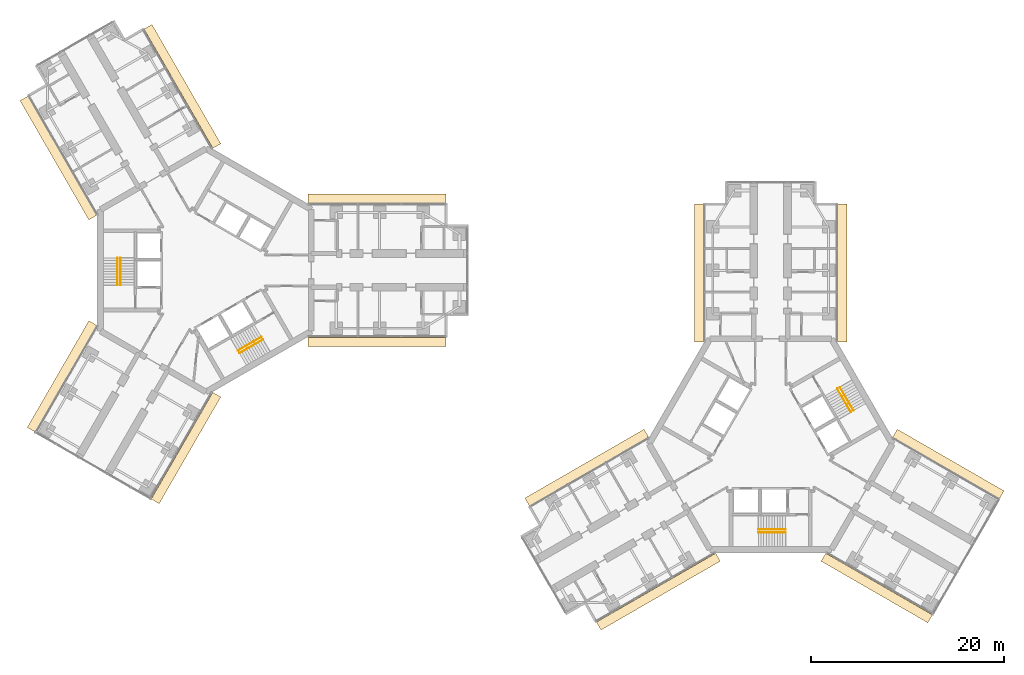
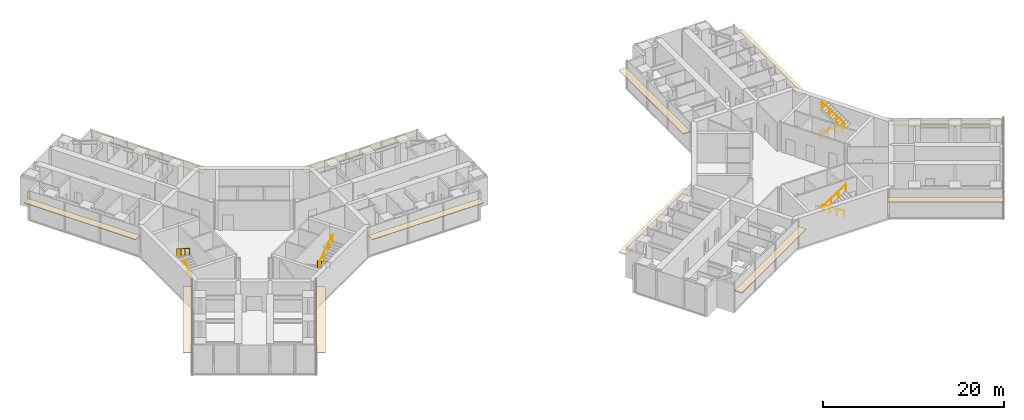
# One storey, part 22 of 22: 12 coverings, 8 railings.
"""IFC4 building model written with IfcOpenShell, lengths in metres."""

import ifcopenshell
import ifcopenshell.guid

model = None  # the IFC model being written
_history = None  # IfcOwnerHistory: only IFC2X3 demands one
_inside = {}  # id of a spatial element -> (the spatial element, [elements in it])
_under = {}  # id of a project, library or spatial element -> (it, [spatial elements below it])
_declared = {}  # id of a project -> (the project, [libraries it declares])
_typed = {}  # id of a type object -> (the type object, [elements of that type])
_made_of = {}  # id of a material, layer set ... -> (it, [elements and type objects made of it])


def new_model(schema):
    """Start an empty IFC model of exactly this schema.

    Asked for "IFC4X3", IfcOpenShell would pick the latest addendum, in which some entities
    have other attributes; the version numbers below select the first issue.
    IFC2X3 requires an IfcOwnerHistory on every rooted entity: one is made here for all.
    """
    global model, _history
    if schema == "IFC4X3":
        model = ifcopenshell.file(schema_version=(4, 3, 0, 0))
    else:
        model = ifcopenshell.file(schema=schema)
    _inside.clear()
    _under.clear()
    _declared.clear()
    _typed.clear()
    _made_of.clear()
    _history = None
    if model.schema == "IFC2X3":
        org = make("IfcOrganization", Name="unknown")
        user = make(
            "IfcPersonAndOrganization",
            ThePerson=make("IfcPerson", FamilyName="unknown"),
            TheOrganization=org,
        )
        app = make(
            "IfcApplication",
            ApplicationDeveloper=org,
            Version="unknown",
            ApplicationFullName="unknown",
            ApplicationIdentifier="unknown",
        )
        _history = make(
            "IfcOwnerHistory",
            OwningUser=user,
            OwningApplication=app,
            ChangeAction="ADDED",
            CreationDate=0,
        )
    return model


def make(cls, **values):
    """One entity of the class cls with the attributes given. An attribute that is None is left unset."""
    return model.create_entity(
        cls, **{name: value for name, value in values.items() if value is not None}
    )


def rooted(cls, **values):
    """An entity with a GlobalId (a new one), such as an element, a storey or a relation."""
    return make(cls, GlobalId=ifcopenshell.guid.new(), OwnerHistory=_history, **values)


def si_unit(unit_type, name, prefix=None):
    """IfcSIUnit, for example si_unit("LENGTHUNIT", "METRE", prefix="MILLI")."""
    return make("IfcSIUnit", UnitType=unit_type, Prefix=prefix, Name=name)


def assignment(units):
    """IfcUnitAssignment: the units of a project."""
    return None if units is None else make("IfcUnitAssignment", Units=units)


def point(xyz):
    """IfcCartesianPoint."""
    return None if xyz is None else make("IfcCartesianPoint", Coordinates=xyz)


def direction(xyz):
    """IfcDirection."""
    return None if xyz is None else make("IfcDirection", DirectionRatios=xyz)


def frame(location, z_axis=None, x_axis=None):
    """IfcAxis2Placement3D, a coordinate frame: its origin and axes. An axis left out is left unset."""
    return make(
        "IfcAxis2Placement3D",
        Location=point(location),
        Axis=direction(z_axis),
        RefDirection=direction(x_axis),
    )


def frame_2d(location, x_axis=None):
    """IfcAxis2Placement2D, a coordinate frame in the plane: its origin and x axis."""
    return make(
        "IfcAxis2Placement2D", Location=point(location), RefDirection=direction(x_axis)
    )


def origin():
    """The frame at (0, 0, 0) with its axes left unset."""
    return frame((0.0, 0.0, 0.0))


def origin_2d():
    """The frame at (0, 0) in the plane with its x axis left unset."""
    return frame_2d((0.0, 0.0))


def place(relative_to, where):
    """IfcLocalPlacement: puts the frame where relative to a parent placement (None: the world)."""
    return make(
        "IfcLocalPlacement", PlacementRelTo=relative_to, RelativePlacement=where
    )


def context(
    kind, dimensions, precision=None, world=None, true_north=None, identifier=None
):
    """IfcGeometricRepresentationContext, for example the 3D "Model" context."""
    return make(
        "IfcGeometricRepresentationContext",
        ContextIdentifier=identifier,
        ContextType=kind,
        CoordinateSpaceDimension=dimensions,
        Precision=precision,
        WorldCoordinateSystem=world,
        TrueNorth=true_north,
    )


def subcontext(parent, identifier, kind, view, scale=None):
    """IfcGeometricRepresentationSubContext, for example "Body" below "Model"."""
    return make(
        "IfcGeometricRepresentationSubContext",
        ContextIdentifier=identifier,
        ContextType=kind,
        ParentContext=parent,
        TargetScale=scale,
        TargetView=view,
    )


def project(units=None, contexts=None):
    """IfcProject with its units and contexts."""
    return rooted(
        "IfcProject",
        Name="project",
        RepresentationContexts=contexts,
        UnitsInContext=assignment(units),
    )


def spatial(cls, under=None, at=None, **own):
    """A site, building, storey or space (cls), placed at a placement, below another one or the project."""
    s = rooted(cls, ObjectPlacement=at, **own)
    if under is not None:
        _under.setdefault(under.id(), (under, []))[1].append(s)
    return s


def profile(cls, at=None, kind="AREA", **sizes):
    """A parametric profile (cls). Its sizes go by their IFC names, for example OverallWidth=200.0."""
    return make(cls, ProfileType=kind, Position=at, **sizes)


def rectangle(**sizes):
    """IfcRectangleProfileDef."""
    return profile("IfcRectangleProfileDef", **sizes)


def circle(**sizes):
    """IfcCircleProfileDef."""
    return profile("IfcCircleProfileDef", **sizes)


def extrude(swept, where, along, depth):
    """IfcExtrudedAreaSolid: the profile swept, set in the frame where, extruded along a direction by depth."""
    return make(
        "IfcExtrudedAreaSolid",
        SweptArea=swept,
        Position=where,
        ExtrudedDirection=direction(along),
        Depth=depth,
    )


def shape(context_of_items, identifier, shape_type, items):
    """IfcShapeRepresentation: the items that make up one representation, for example the "Body"."""
    return make(
        "IfcShapeRepresentation",
        ContextOfItems=context_of_items,
        RepresentationIdentifier=identifier,
        RepresentationType=shape_type,
        Items=items,
    )


def material(Name=None, Category=None):
    """IfcMaterial."""
    return make("IfcMaterial", Name=Name, Category=Category)


def layer(
    of_material, thickness, ventilated=None, Name=None, Category=None, Priority=None
):
    """IfcMaterialLayer: one layer of a wall or slab, of a material (None: an air gap)."""
    return make(
        "IfcMaterialLayer",
        Material=of_material,
        LayerThickness=thickness,
        IsVentilated=ventilated,
        Name=Name,
        Category=Category,
        Priority=Priority,
    )


def layer_set(layers, Name=None):
    """IfcMaterialLayerSet."""
    return make("IfcMaterialLayerSet", MaterialLayers=layers, LayerSetName=Name)


def made_of(thing, what):
    """Note that an element or type object is made of a material, layer set ...; save() writes the relation."""
    if what is not None:
        _made_of.setdefault(what.id(), (what, []))[1].append(thing)
    return thing


def type_object(cls, material=None, **own):
    """A type object (cls), such as IfcWallType, which elements share."""
    return made_of(rooted(cls, **own), material)


def element(
    cls,
    number,
    at=None,
    inside=None,
    cuts=None,
    type_object=None,
    material=None,
    context=None,
    identifier="Body",
    shape_type=None,
    held_by="IfcProductDefinitionShape",
    body=None,
    shapes=None,
    **own,
):
    """One element of the class cls, such as IfcWall. Its Tag is "e" and its number.

    at: its placement. inside: the storey or other place that contains it. cuts: it is an
    opening in that element (IfcRelVoidsElement). A single representation is given by context,
    identifier, shape_type and body (its items); several are given by shapes. held_by: the class
    of the entity that holds the representations. save() writes the other relations.
    """
    e = rooted(cls, Tag="e%d" % number, ObjectPlacement=at, **own)
    if body is not None:
        shapes = [shape(context, identifier, shape_type, body)]
    if shapes is not None:
        e.Representation = make(held_by, Representations=shapes)
    if inside is not None:
        _inside.setdefault(inside.id(), (inside, []))[1].append(e)
    if cuts is not None:
        rooted(
            "IfcRelVoidsElement", RelatingBuildingElement=cuts, RelatedOpeningElement=e
        )
    if type_object is not None:
        _typed.setdefault(type_object.id(), (type_object, []))[1].append(e)
    return made_of(e, material)


def aggregate(whole, parts):
    """IfcRelAggregates: a whole, such as a stair, and the parts it consists of."""
    return rooted("IfcRelAggregates", RelatingObject=whole, RelatedObjects=parts)


def save(model, path):
    """Write the relations noted so far, then the file.

    IfcRelAggregates (storeys below a building ...), IfcRelContainedInSpatialStructure (elements
    in a storey), IfcRelDefinesByType, IfcRelAssociatesMaterial and IfcRelDeclares: one each for
    every whole, place, type object, material and project.
    """
    for whole, parts in _under.values():
        aggregate(whole, parts)
    for where, things in _inside.values():
        rooted(
            "IfcRelContainedInSpatialStructure",
            RelatedElements=things,
            RelatingStructure=where,
        )
    for kind, things in _typed.values():
        rooted("IfcRelDefinesByType", RelatedObjects=things, RelatingType=kind)
    for what, things in _made_of.values():
        rooted("IfcRelAssociatesMaterial", RelatedObjects=things, RelatingMaterial=what)
    for by, libraries in _declared.values():
        rooted("IfcRelDeclares", RelatingContext=by, RelatedDefinitions=libraries)
    model.write(path)


model = new_model("IFC4")

# Units and contexts
model_context = context("Model", 3, precision=1e-05, world=origin(), true_north=direction((0.0, 1.0)))
body_context = subcontext(model_context, "Body", "Model", "MODEL_VIEW")
ifc_project = project(units=[si_unit("LENGTHUNIT", "METRE"), si_unit("AREAUNIT", "SQUARE_METRE"), si_unit("VOLUMEUNIT", "CUBIC_METRE"), si_unit("PLANEANGLEUNIT", "RADIAN"), si_unit("MASSUNIT", "GRAM", prefix="KILO")], contexts=[model_context])

# Site, building, storey
site_placement = place(None, origin())
site = spatial("IfcSite", under=ifc_project, at=site_placement, CompositionType="ELEMENT")
building_placement = place(site_placement, origin())
building = spatial("IfcBuilding", under=site, at=building_placement, Name="Upepo Twin Towers", CompositionType="ELEMENT")
storey_placement = place(building_placement, frame((0.0, 0.0, 121.5)))
storey = spatial("IfcBuildingStorey", under=building, at=storey_placement, Name="L29", CompositionType="ELEMENT", Elevation=121.5)

# Coverings
ifc_material_1 = material(Name="Anodised aluminium, pale silver", Category="aluminium")
ifc_layer = layer(ifc_material_1, 0.080078125)
ifc_layer_set = layer_set([ifc_layer], Name="Brise-soleil blade 950 pale aluminium")
covering_type = type_object("IfcCoveringType", Name="Brise-soleil blade 950 pale aluminium", PredefinedType="USERDEFINED", material=ifc_layer_set)
for number, where, z_axis, x_axis, name in (
    (1, (17.718505859375, 7.4150390625, 2.909912109375), (0.0, 0.0, 1.0), (1.0, 0.0, 0.0), "T1 L29 wing A brise-soleil L"),
    (2, (17.718505859375, -7.4150390625, 2.909912109375), (0.0, 0.0, 1.0), (1.0, 0.0, 0.0), "T1 L29 wing A brise-soleil R"),
    (3, (-15.28076171875, 11.63720703125, 2.909912109375), (0.0, 0.0, 1.0), (-0.499999954655, 0.866025429964, 0.0), "T1 L29 wing B brise-soleil L"),
    (4, (-2.437744140625, 19.05224609375, 2.909912109375), (0.0, 0.0, 1.0), (-0.500000015115, 0.866025395058, 0.0), "T1 L29 wing B brise-soleil R"),
):
    element("IfcCovering", number, at=place(storey_placement, frame(where, z_axis=z_axis, x_axis=x_axis)), inside=storey, type_object=covering_type, Name=name, ObjectType="SUNSHADE", PredefinedType="USERDEFINED", context=body_context, shape_type="SweptSolid", body=[
        extrude(rectangle(XDim=14.262939453125, YDim=0.949951171875, at=origin_2d()), origin(), (0.0, 0.0, 1.0), 0.080078125),
    ])
for number, where, z_axis, x_axis, name in (
    (5, (-2.062744140625, -18.402587890625, 2.909912109375), (0.0, 0.0, 1.0), (-0.500000015115, -0.866025395058, 0.0), "T1 L29 wing C brise-soleil L"),
    (6, (-14.90576171875, -10.98779296875, 2.909912109375), (0.0, 0.0, 1.0), (-0.499999954655, -0.866025429964, 0.0), "T1 L29 wing C brise-soleil R"),
):
    element("IfcCovering", number, at=place(storey_placement, frame(where, z_axis=z_axis, x_axis=x_axis)), inside=storey, type_object=covering_type, Name=name, ObjectType="SUNSHADE", PredefinedType="USERDEFINED", context=body_context, shape_type="SweptSolid", body=[
        extrude(rectangle(XDim=12.762939453125, YDim=0.949951171875, at=origin_2d()), origin(), (0.0, 0.0, 1.0), 0.080078125),
    ])
for number, where, z_axis, x_axis, name in (
    (7, (51.0849609375, -0.281494140625, 2.909912109375), (0.0, 0.0, 1.0), (0.0, 1.0, 0.0), "T2 L29 wing A brise-soleil L"),
    (8, (65.9150390625, -0.281494140625, 2.909912109375), (0.0, 0.0, 1.0), (0.0, 1.0, 0.0), "T2 L29 wing A brise-soleil R"),
    (9, (46.86279296875, -33.28076171875, 2.909912109375), (0.0, 0.0, 1.0), (-0.866025429964, -0.499999954655, 0.0), "T2 L29 wing B brise-soleil L"),
    (10, (39.44775390625, -20.437744140625, 2.909912109375), (0.0, 0.0, 1.0), (-0.866025395058, -0.500000015115, 0.0), "T2 L29 wing B brise-soleil R"),
):
    element("IfcCovering", number, at=place(storey_placement, frame(where, z_axis=z_axis, x_axis=x_axis)), inside=storey, type_object=covering_type, Name=name, ObjectType="SUNSHADE", PredefinedType="USERDEFINED", context=body_context, shape_type="SweptSolid", body=[
        extrude(rectangle(XDim=14.262939453125, YDim=0.949951171875, at=origin_2d()), origin(), (0.0, 0.0, 1.0), 0.080078125),
    ])
for number, where, z_axis, x_axis, name in (
    (11, (76.902587890625, -20.062744140625, 2.909912109375), (0.0, 0.0, 1.0), (0.866025395058, -0.500000015115, 0.0), "T2 L29 wing C brise-soleil L"),
    (12, (69.48779296875, -32.90576171875, 2.909912109375), (0.0, 0.0, 1.0), (0.866025429964, -0.499999954655, 0.0), "T2 L29 wing C brise-soleil R"),
):
    element("IfcCovering", number, at=place(storey_placement, frame(where, z_axis=z_axis, x_axis=x_axis)), inside=storey, type_object=covering_type, Name=name, ObjectType="SUNSHADE", PredefinedType="USERDEFINED", context=body_context, shape_type="SweptSolid", body=[
        extrude(rectangle(XDim=12.762939453125, YDim=0.949951171875, at=origin_2d()), origin(), (0.0, 0.0, 1.0), 0.080078125),
    ])

# Railings
ifc_material_2 = material(Name="Stainless steel", Category="steel")
railing_type = type_object("IfcRailingType", Name="Stair handrail 900", PredefinedType="HANDRAIL", material=ifc_material_2)
railing_1_placement = place(storey_placement, frame((-8.85009765625, -1.52001953125, 0.181884765625)))
element("IfcRailing", 13, at=railing_1_placement, inside=storey, type_object=railing_type, Name="T1 stair S1 L29 handrail 1", PredefinedType="HANDRAIL", context=body_context, shape_type="SweptSolid", body=[
    extrude(circle(Radius=0.02392578125, at=origin_2d()), frame((0.0, 0.0, 0.8759765625), z_axis=(0.0, 0.838705829183, 0.544584733623), x_axis=(-1.0, 0.0, 0.0)), (0.0, 0.0, 1.0), 3.338623046875),
    extrude(circle(Radius=0.02099609375, at=origin_2d()), origin(), (0.0, 0.0, 1.0), 0.851806640625),
    extrude(circle(Radius=0.02099609375, at=origin_2d()), frame((0.0, 0.933349609375, 0.60595703125)), (0.0, 0.0, 1.0), 0.851806640625),
    extrude(circle(Radius=0.02099609375, at=origin_2d()), frame((0.0, 1.86669921875, 1.212158203125)), (0.0, 0.0, 1.0), 0.851806640625),
    extrude(circle(Radius=0.02099609375, at=origin_2d()), frame((0.0, 2.800048828125, 1.818115234375)), (0.0, 0.0, 1.0), 0.851806640625),
])
railing_2_placement = place(storey_placement, frame((-9.158447265625, 1.280029296875, 2.181884765625)))
element("IfcRailing", 14, at=railing_2_placement, inside=storey, type_object=railing_type, Name="T1 stair S1 L29 handrail 2", PredefinedType="HANDRAIL", context=body_context, shape_type="SweptSolid", body=[
    extrude(circle(Radius=0.02392578125, at=origin_2d()), frame((0.0, 0.0, 0.8759765625), z_axis=(0.0, -0.838705829183, 0.544584733623), x_axis=(1.0, 0.0, 0.0)), (0.0, 0.0, 1.0), 3.338623046875),
    extrude(circle(Radius=0.02099609375, at=origin_2d()), origin(), (0.0, 0.0, 1.0), 0.851806640625),
    extrude(circle(Radius=0.02099609375, at=origin_2d()), frame((0.0, -0.933349609375, 0.60595703125)), (0.0, 0.0, 1.0), 0.851806640625),
    extrude(circle(Radius=0.02099609375, at=origin_2d()), frame((0.0, -1.86669921875, 1.212158203125)), (0.0, 0.0, 1.0), 0.851806640625),
    extrude(circle(Radius=0.02099609375, at=origin_2d()), frame((0.0, -2.800048828125, 1.818115234375)), (0.0, 0.0, 1.0), 0.851806640625),
])
railing_3_placement = place(storey_placement, frame((5.741455078125, -6.904296875, 0.181884765625)))
element("IfcRailing", 15, at=railing_3_placement, inside=storey, type_object=railing_type, Name="T1 stair S2 L29 handrail 1", PredefinedType="HANDRAIL", context=body_context, shape_type="SweptSolid", body=[
    extrude(circle(Radius=0.02392578125, at=origin_2d()), frame((0.0, 0.0, 0.8759765625), z_axis=(-0.726348578268, -0.419370693282, 0.544560340518), x_axis=(0.500011755427, -0.866018616679, 0.0)), (0.0, 0.0, 1.0), 3.338623046875),
    extrude(circle(Radius=0.02099609375, at=origin_2d()), origin(), (0.0, 0.0, 1.0), 0.851806640625),
    extrude(circle(Radius=0.02099609375, at=origin_2d()), frame((-0.808349609375, -0.466796875, 0.60595703125)), (0.0, 0.0, 1.0), 0.851806640625),
    extrude(circle(Radius=0.02099609375, at=origin_2d()), frame((-1.61669921875, -0.933349609375, 1.212158203125)), (0.0, 0.0, 1.0), 0.851806640625),
    extrude(circle(Radius=0.02099609375, at=origin_2d()), frame((-2.425048828125, -1.400146484375, 1.818115234375)), (0.0, 0.0, 1.0), 0.851806640625),
])
railing_4_placement = place(storey_placement, frame((3.470703125, -8.5712890625, 2.181884765625)))
element("IfcRailing", 16, at=railing_4_placement, inside=storey, type_object=railing_type, Name="T1 stair S2 L29 handrail 2", PredefinedType="HANDRAIL", context=body_context, shape_type="SweptSolid", body=[
    extrude(circle(Radius=0.02392578125, at=origin_2d()), frame((0.0, 0.0, 0.8759765625), z_axis=(0.726336304947, 0.419332699614, 0.544605966869), x_axis=(-0.49998411664, 0.866034573852, 0.0)), (0.0, 0.0, 1.0), 3.33837890625),
    extrude(circle(Radius=0.02099609375, at=origin_2d()), origin(), (0.0, 0.0, 1.0), 0.851806640625),
    extrude(circle(Radius=0.02099609375, at=origin_2d()), frame((0.808349609375, 0.466552734375, 0.60595703125)), (0.0, 0.0, 1.0), 0.851806640625),
    extrude(circle(Radius=0.02099609375, at=origin_2d()), frame((1.616455078125, 0.933349609375, 1.212158203125)), (0.0, 0.0, 1.0), 0.851806640625),
    extrude(circle(Radius=0.02099609375, at=origin_2d()), frame((2.4248046875, 1.39990234375, 1.818115234375)), (0.0, 0.0, 1.0), 0.851806640625),
])
railing_5_placement = place(storey_placement, frame((60.02001953125, -26.85009765625, 0.181884765625)))
element("IfcRailing", 17, at=railing_5_placement, inside=storey, type_object=railing_type, Name="T2 stair S1 L29 handrail 1", PredefinedType="HANDRAIL", context=body_context, shape_type="SweptSolid", body=[
    extrude(circle(Radius=0.02392578125, at=origin_2d()), frame((0.0, 0.0, 0.8759765625), z_axis=(-0.838705829183, 0.0, 0.544584733623), x_axis=(0.0, -1.0, 0.0)), (0.0, 0.0, 1.0), 3.338623046875),
    extrude(circle(Radius=0.02099609375, at=origin_2d()), origin(), (0.0, 0.0, 1.0), 0.851806640625),
    extrude(circle(Radius=0.02099609375, at=origin_2d()), frame((-0.933349609375, 0.0, 0.60595703125)), (0.0, 0.0, 1.0), 0.851806640625),
    extrude(circle(Radius=0.02099609375, at=origin_2d()), frame((-1.86669921875, 0.0, 1.212158203125)), (0.0, 0.0, 1.0), 0.851806640625),
    extrude(circle(Radius=0.02099609375, at=origin_2d()), frame((-2.800048828125, 0.0, 1.818115234375)), (0.0, 0.0, 1.0), 0.851806640625),
])
railing_6_placement = place(storey_placement, frame((57.219970703125, -27.158447265625, 2.181884765625)))
element("IfcRailing", 18, at=railing_6_placement, inside=storey, type_object=railing_type, Name="T2 stair S1 L29 handrail 2", PredefinedType="HANDRAIL", context=body_context, shape_type="SweptSolid", body=[
    extrude(circle(Radius=0.02392578125, at=origin_2d()), frame((0.0, 0.0, 0.8759765625), z_axis=(0.838705829183, 0.0, 0.544584733623), x_axis=(0.0, 1.0, 0.0)), (0.0, 0.0, 1.0), 3.338623046875),
    extrude(circle(Radius=0.02099609375, at=origin_2d()), origin(), (0.0, 0.0, 1.0), 0.851806640625),
    extrude(circle(Radius=0.02099609375, at=origin_2d()), frame((0.933349609375, 0.0, 0.60595703125)), (0.0, 0.0, 1.0), 0.851806640625),
    extrude(circle(Radius=0.02099609375, at=origin_2d()), frame((1.86669921875, 0.0, 1.212158203125)), (0.0, 0.0, 1.0), 0.851806640625),
    extrude(circle(Radius=0.02099609375, at=origin_2d()), frame((2.800048828125, 0.0, 1.818115234375)), (0.0, 0.0, 1.0), 0.851806640625),
])
railing_7_placement = place(storey_placement, frame((65.404296875, -12.258544921875, 0.181884765625)))
element("IfcRailing", 19, at=railing_7_placement, inside=storey, type_object=railing_type, Name="T2 stair S2 L29 handrail 1", PredefinedType="HANDRAIL", context=body_context, shape_type="SweptSolid", body=[
    extrude(circle(Radius=0.02392578125, at=origin_2d()), frame((0.0, 0.0, 0.8759765625), z_axis=(0.419370693282, -0.726348578268, 0.544560340518), x_axis=(0.866018616679, 0.500011755427, 0.0)), (0.0, 0.0, 1.0), 3.338623046875),
    extrude(circle(Radius=0.02099609375, at=origin_2d()), origin(), (0.0, 0.0, 1.0), 0.851806640625),
    extrude(circle(Radius=0.02099609375, at=origin_2d()), frame((0.466796875, -0.808349609375, 0.60595703125)), (0.0, 0.0, 1.0), 0.851806640625),
    extrude(circle(Radius=0.02099609375, at=origin_2d()), frame((0.933349609375, -1.61669921875, 1.212158203125)), (0.0, 0.0, 1.0), 0.851806640625),
    extrude(circle(Radius=0.02099609375, at=origin_2d()), frame((1.400146484375, -2.425048828125, 1.818115234375)), (0.0, 0.0, 1.0), 0.851806640625),
])
railing_8_placement = place(storey_placement, frame((67.0712890625, -14.529296875, 2.181884765625)))
element("IfcRailing", 20, at=railing_8_placement, inside=storey, type_object=railing_type, Name="T2 stair S2 L29 handrail 2", PredefinedType="HANDRAIL", context=body_context, shape_type="SweptSolid", body=[
    extrude(circle(Radius=0.02392578125, at=origin_2d()), frame((0.0, 0.0, 0.8759765625), z_axis=(-0.419332699614, 0.726336304947, 0.544605966869), x_axis=(-0.866034573852, -0.49998411664, 0.0)), (0.0, 0.0, 1.0), 3.33837890625),
    extrude(circle(Radius=0.02099609375, at=origin_2d()), origin(), (0.0, 0.0, 1.0), 0.851806640625),
    extrude(circle(Radius=0.02099609375, at=origin_2d()), frame((-0.466552734375, 0.808349609375, 0.60595703125)), (0.0, 0.0, 1.0), 0.851806640625),
    extrude(circle(Radius=0.02099609375, at=origin_2d()), frame((-0.933349609375, 1.616455078125, 1.212158203125)), (0.0, 0.0, 1.0), 0.851806640625),
    extrude(circle(Radius=0.02099609375, at=origin_2d()), frame((-1.39990234375, 2.4248046875, 1.818115234375)), (0.0, 0.0, 1.0), 0.851806640625),
])

save(model, "model.ifc")
